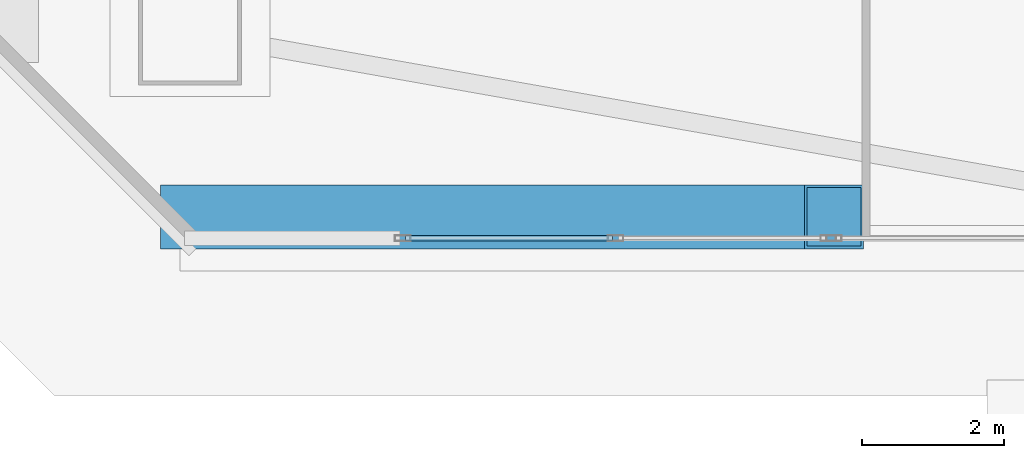
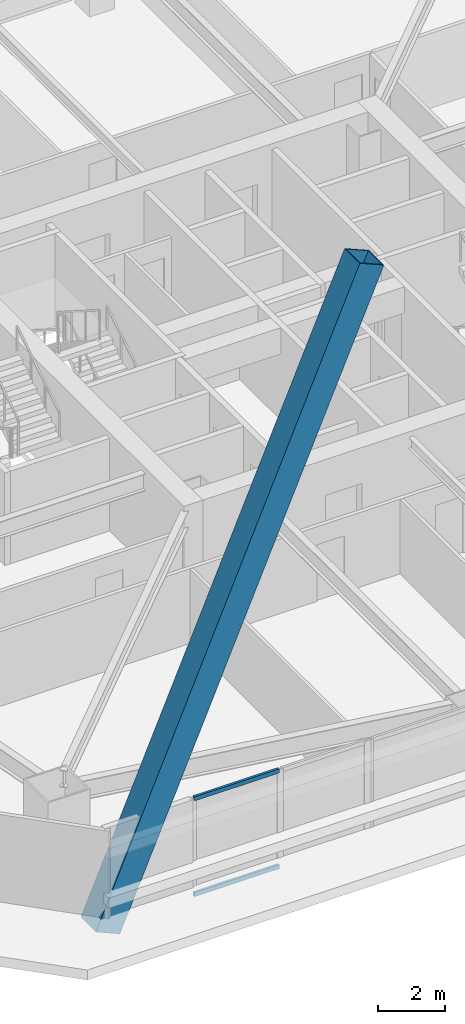
# One storey, part 4 of 67: 3 members, 1 element without a shape of its own.
"""IFC4 building model written with IfcOpenShell, lengths in metres."""

from ifc_helpers import new_model, si_unit, direction, frame, origin, origin_2d, place, context, subcontext, project, spatial, hollow_rectangle, extrude, material, material_profile, profile_set, type_object, element, aggregate, save


model = new_model("IFC4")

# Units and contexts
model_context = context("Model", 3, precision=1e-05, world=origin(), true_north=direction((0.0, 1.0)))
body_context = subcontext(model_context, "Body", "Model", "MODEL_VIEW")
ifc_project = project(units=[si_unit("LENGTHUNIT", "METRE"), si_unit("AREAUNIT", "SQUARE_METRE"), si_unit("VOLUMEUNIT", "CUBIC_METRE"), si_unit("PLANEANGLEUNIT", "RADIAN"), si_unit("MASSUNIT", "GRAM", prefix="KILO")], contexts=[model_context])

# Site, building, storey
site_placement = place(None, origin())
site = spatial("IfcSite", under=ifc_project, at=site_placement, CompositionType="ELEMENT")
building_placement = place(site_placement, origin())
building = spatial("IfcBuilding", under=site, at=building_placement, Name="Tashvorn Skyway Center", CompositionType="ELEMENT")
storey_placement = place(building_placement, frame((0.0, 0.0, 67.199951171875)))
storey = spatial("IfcBuildingStorey", under=building, at=storey_placement, Name="L17", CompositionType="ELEMENT", Elevation=67.199951171875)

# Curtain wall, members
ifc_material_1 = material(Name="Thermally broken bronze-anodized aluminium 6063-T6", Category="aluminium")
curtain_wall_type = type_object("IfcCurtainWallType", Name="CW-CW-Z2", PredefinedType="NOTDEFINED", material=ifc_material_1)
curtain_wall_placement = place(storey_placement, origin())
curtain_wall = element("IfcCurtainWall", 1, at=curtain_wall_placement, inside=storey, type_object=curtain_wall_type, Name="Tower 1 L17 South Unitised Curtain Wall Glazing Group 3", PredefinedType="NOTDEFINED")
ifc_material_profile_1 = material_profile(ifc_material_1, hollow_rectangle(XDim=0.080078125, YDim=0.14990234375, WallThickness=0.00439453125, at=origin_2d()), Name="ALU-TRAN-80x150")
ifc_profile_set_1 = profile_set([ifc_material_profile_1], Name="Thermally broken bronze-anodized aluminium 6063-T6")
member_type_1 = type_object("IfcMemberType", Name="CWT-CW-Z2", PredefinedType="USERDEFINED", material=ifc_profile_set_1)
member_1_placement = place(storey_placement, frame((29.840087890625, 11.02001953125, 0.0400390625), z_axis=(-1.0, 0.0, 0.0), x_axis=(0.0, -1.0, 0.0)))
member_1 = element("IfcMember", 2, at=member_1_placement, type_object=member_type_1, Name="CW-Z2 transom 2.1", ObjectType="TRANSOM", PredefinedType="USERDEFINED", context=body_context, shape_type="SweptSolid", body=[
    extrude(hollow_rectangle(XDim=0.080078125, YDim=0.14990234375, WallThickness=0.00439453125, at=origin_2d()), origin(), (0.0, 0.0, 1.0), 2.91015625),
])
member_2_placement = place(storey_placement, frame((29.840087890625, 11.02001953125, 3.510009765625), z_axis=(-1.0, 0.0, 0.0), x_axis=(0.0, -1.0, 0.0)))
member_2 = element("IfcMember", 3, at=member_2_placement, type_object=member_type_1, Name="CW-Z2 transom 2.2", ObjectType="TRANSOM", PredefinedType="USERDEFINED", context=body_context, shape_type="SweptSolid", body=[
    extrude(hollow_rectangle(XDim=0.080078125, YDim=0.14990234375, WallThickness=0.00439453125, at=origin_2d()), origin(), (0.0, 0.0, 1.0), 2.91015625),
])
aggregate(curtain_wall, [member_1, member_2])

# Member
ifc_material_2 = material(Name="Steel ASTM A572 Grade 50", Category="steel")
ifc_material_profile_2 = material_profile(ifc_material_2, hollow_rectangle(XDim=0.89990234375, YDim=0.89990234375, WallThickness=0.0400390625, at=origin_2d()), Name="BOX900x900x40")
ifc_profile_set_2 = profile_set([ifc_material_profile_2], Name="Steel ASTM A572 Grade 50")
member_type_2 = type_object("IfcMemberType", Name="MEM-MB-900", PredefinedType="BRACE", material=ifc_profile_set_2)
member_3_placement = place(storey_placement, frame((23.89990234375, 11.320068359375, -0.219970703125), z_axis=(0.394656720236, 0.0, 0.918828641898), x_axis=(0.0, 1.0, 0.0)))
element("IfcMember", 4, at=member_3_placement, inside=storey, type_object=member_type_2, Name="Tower 1 Zone 2 S Chevron Mega-Brace L1", PredefinedType="BRACE", context=body_context, shape_type="SweptSolid", body=[
    extrude(hollow_rectangle(XDim=0.89990234375, YDim=0.89990234375, WallThickness=0.0400390625, at=origin_2d()), origin(), (0.0, 0.0, 1.0), 22.931396484375),
])

save(model, "model.ifc")
